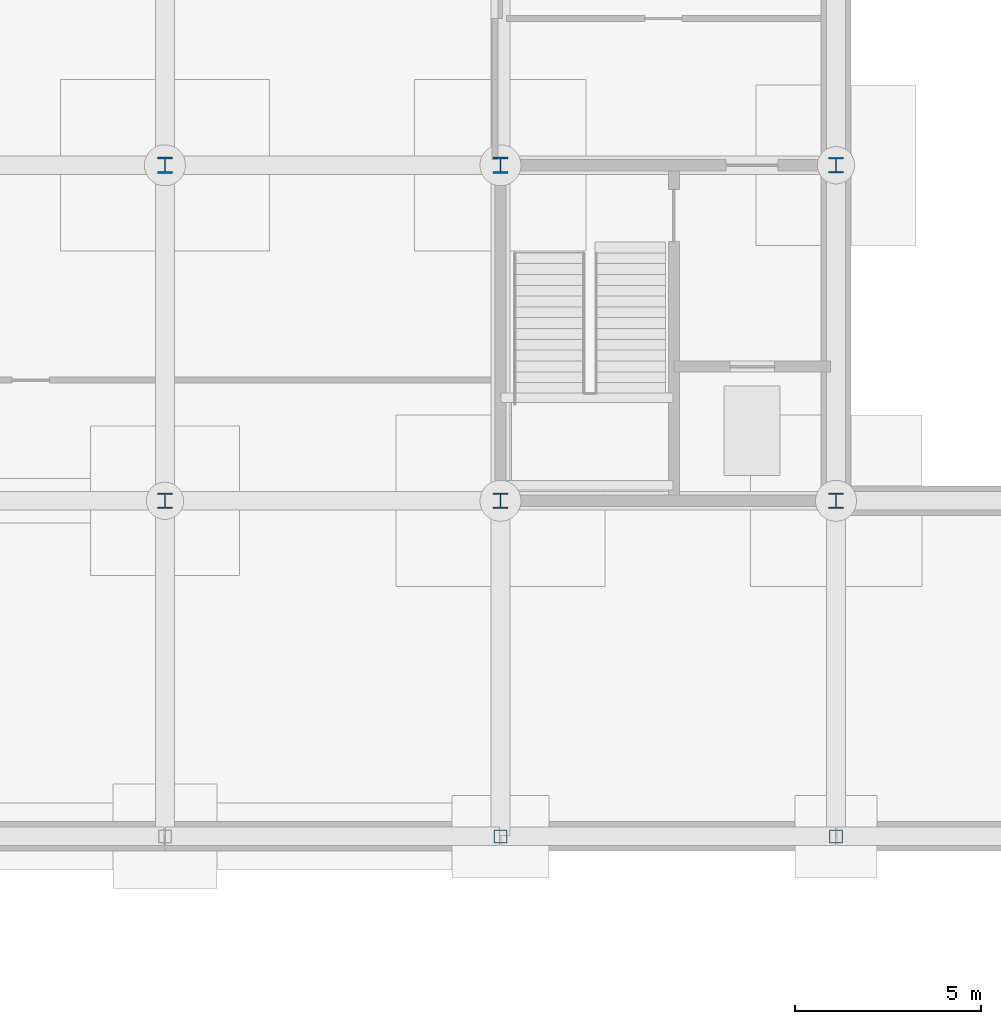
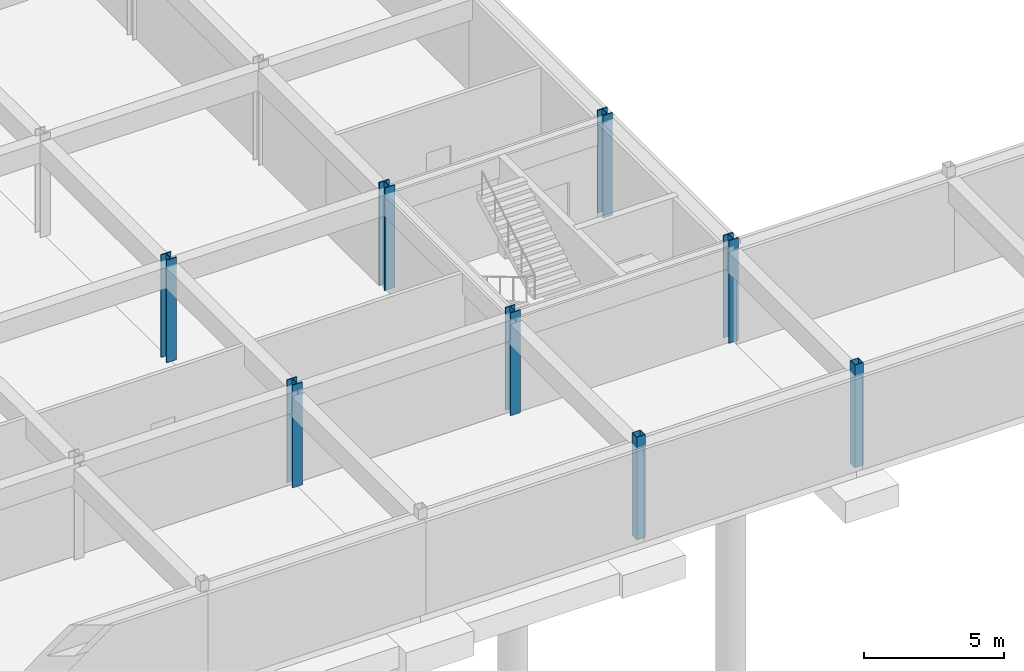
# One storey, part 10 of 41: 8 columns.
"""IFC4 building model written with IfcOpenShell, lengths in metres."""

from ifc_helpers import new_model, si_unit, direction, frame, origin, origin_2d, place, context, subcontext, project, spatial, hollow_rectangle, i_section, extrude, material, material_profile, profile_set, type_object, element, save


model = new_model("IFC4")

# Units and contexts
model_context = context("Model", 3, precision=1e-05, world=origin(), true_north=direction((0.0, 1.0)))
body_context = subcontext(model_context, "Body", "Model", "MODEL_VIEW")
ifc_project = project(units=[si_unit("LENGTHUNIT", "METRE"), si_unit("AREAUNIT", "SQUARE_METRE"), si_unit("VOLUMEUNIT", "CUBIC_METRE"), si_unit("PLANEANGLEUNIT", "RADIAN"), si_unit("MASSUNIT", "GRAM", prefix="KILO")], contexts=[model_context])

# Site, building, storey
site_placement = place(None, origin())
site = spatial("IfcSite", under=ifc_project, at=site_placement, CompositionType="ELEMENT")
building_placement = place(site_placement, origin())
building = spatial("IfcBuilding", under=site, at=building_placement, Name="Palais des Congres Ocreval", CompositionType="ELEMENT")
storey_placement = place(building_placement, frame((0.0, 0.0, -8.9599609375)))
storey = spatial("IfcBuildingStorey", under=building, at=storey_placement, Name="B2", CompositionType="ELEMENT", Elevation=-8.9599609375)

# Columns
ifc_material_1 = material(Name="Steel S355", Category="steel")
ifc_material_profile_1 = material_profile(ifc_material_1, i_section(OverallWidth=0.406005859375, OverallDepth=0.416015625, WebThickness=0.0224609375, FlangeThickness=0.0380859375, at=origin_2d()), Name="HD 400x382")
ifc_profile_set_1 = profile_set([ifc_material_profile_1], Name="Steel S355")
column_type_1 = type_object("IfcColumnType", Name="Column HD 400x382 Steel S355", PredefinedType="COLUMN", material=ifc_profile_set_1)
for number, where, z_axis, x_axis, name in (
    (1, (36.0, 81.0, 0.0), (0.0, 0.0, 1.0), (1.0, 0.0, 0.0), "Column C03 B2"),
    (2, (45.0, 81.0, 0.0), (0.0, 0.0, 1.0), (1.0, 0.0, 0.0), "Column C03 B2"),
    (3, (54.0, 81.0, 0.0), (0.0, 0.0, 1.0), (1.0, 0.0, 0.0), "Column C03 B2"),
    (4, (54.0, 90.0, 0.0), (0.0, 0.0, 1.0), (1.0, 0.0, 0.0), "Column C03 B2"),
):
    element("IfcColumn", number, at=place(storey_placement, frame(where, z_axis=z_axis, x_axis=x_axis)), inside=storey, type_object=column_type_1, Name=name, PredefinedType="COLUMN", context=body_context, shape_type="SweptSolid", body=[
        extrude(i_section(OverallWidth=0.406005859375, OverallDepth=0.416015625, WebThickness=0.0224609375, FlangeThickness=0.0380859375, at=origin_2d()), origin(), (0.0, 0.0, 1.0), 4.47998046875),
    ])
ifc_material_2 = material(Name="Steel S460", Category="steel")
ifc_material_profile_2 = material_profile(ifc_material_2, i_section(OverallWidth=0.412109375, OverallDepth=0.43505859375, WebThickness=0.027099609375, FlangeThickness=0.0458984375, at=origin_2d()), Name="HD 400x463")
ifc_profile_set_2 = profile_set([ifc_material_profile_2], Name="Steel S460")
column_type_2 = type_object("IfcColumnType", Name="Column HD 400x463 Steel S460", PredefinedType="COLUMN", material=ifc_profile_set_2)
for number, where, z_axis, x_axis, name in (
    (5, (36.0, 90.0, 0.0), (0.0, 0.0, 1.0), (1.0, 0.0, 0.0), "Column C02 B2"),
    (6, (45.0, 90.0, 0.0), (0.0, 0.0, 1.0), (1.0, 0.0, 0.0), "Column C02 B2"),
):
    element("IfcColumn", number, at=place(storey_placement, frame(where, z_axis=z_axis, x_axis=x_axis)), inside=storey, type_object=column_type_2, Name=name, PredefinedType="COLUMN", context=body_context, shape_type="SweptSolid", body=[
        extrude(i_section(OverallWidth=0.412109375, OverallDepth=0.43505859375, WebThickness=0.027099609375, FlangeThickness=0.0458984375, at=origin_2d()), origin(), (0.0, 0.0, 1.0), 4.47998046875),
    ])
ifc_material_profile_3 = material_profile(ifc_material_1, hollow_rectangle(XDim=0.35009765625, YDim=0.35009765625, WallThickness=0.01611328125, at=origin_2d()), Name="RHS 350x350x16")
ifc_profile_set_3 = profile_set([ifc_material_profile_3], Name="Steel S355")
column_type_3 = type_object("IfcColumnType", Name="Column RHS 350x350x16 Steel S355", PredefinedType="COLUMN", material=ifc_profile_set_3)
for number, where, z_axis, x_axis, name in (
    (7, (45.0, 72.0, 0.0), (0.0, 0.0, 1.0), (1.0, 0.0, 0.0), "Column C18 B2"),
    (8, (54.0, 72.0, 0.0), (0.0, 0.0, 1.0), (1.0, 0.0, 0.0), "Column C18 B2"),
):
    element("IfcColumn", number, at=place(storey_placement, frame(where, z_axis=z_axis, x_axis=x_axis)), inside=storey, type_object=column_type_3, Name=name, PredefinedType="COLUMN", context=body_context, shape_type="SweptSolid", body=[
        extrude(hollow_rectangle(XDim=0.35009765625, YDim=0.35009765625, WallThickness=0.01611328125, at=origin_2d()), origin(), (0.0, 0.0, 1.0), 4.47998046875),
    ])

save(model, "model.ifc")
